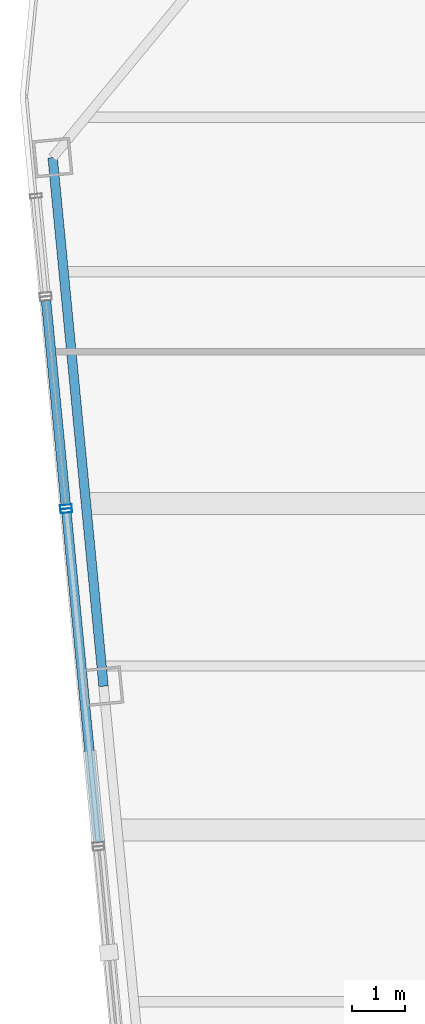
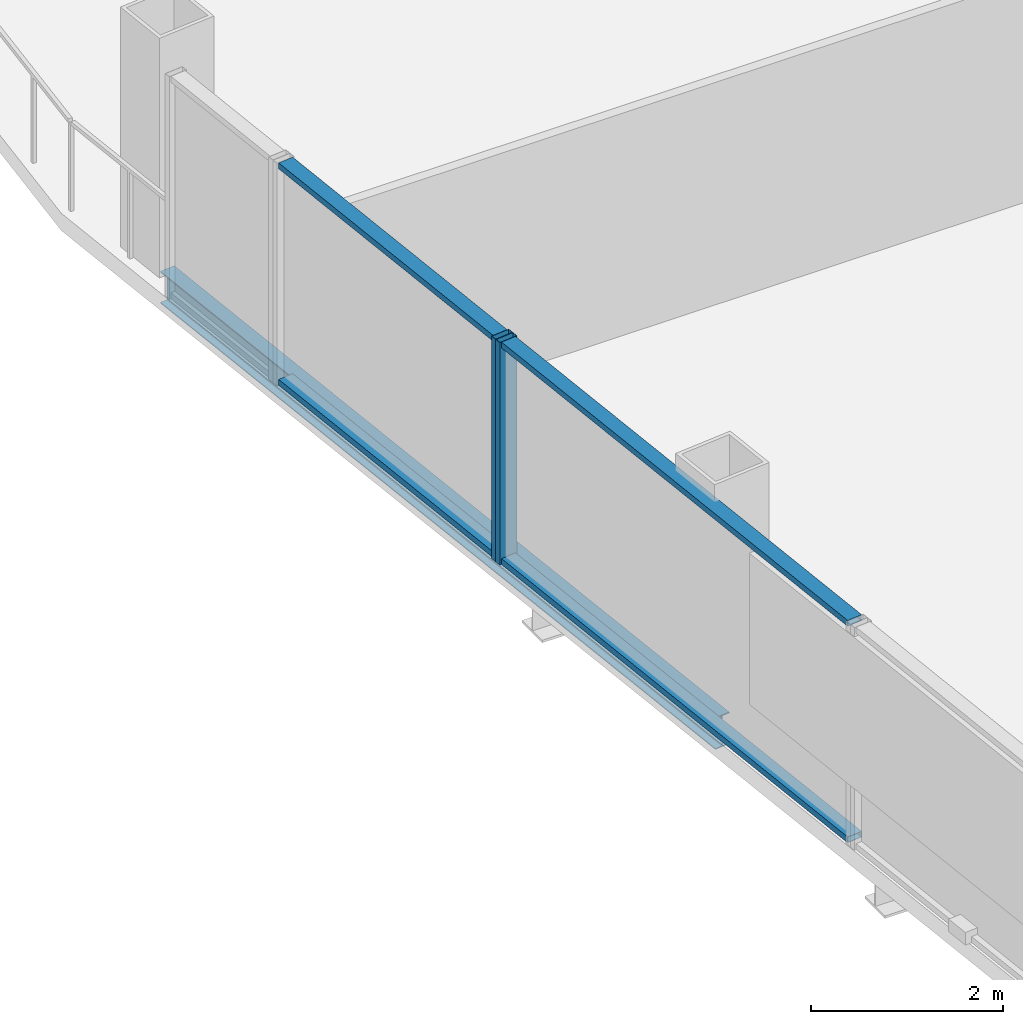
# One storey, part 7 of 21: 6 members, 1 beam, 2 elements without a shape of their own.
"""IFC4 building model written with IfcOpenShell, lengths in metres."""

from ifc_helpers import new_model, si_unit, direction, frame, origin, origin_2d, place, context, subcontext, project, spatial, hollow_rectangle, i_section, extrude, material, layer, layer_set, material_profile, profile_set, type_object, element, aggregate, save


model = new_model("IFC4")

# Units and contexts
model_context = context("Model", 3, precision=1e-05, world=origin(), true_north=direction((0.0, 1.0)))
body_context = subcontext(model_context, "Body", "Model", "MODEL_VIEW")
ifc_project = project(units=[si_unit("LENGTHUNIT", "METRE"), si_unit("AREAUNIT", "SQUARE_METRE"), si_unit("VOLUMEUNIT", "CUBIC_METRE"), si_unit("PLANEANGLEUNIT", "RADIAN"), si_unit("MASSUNIT", "GRAM", prefix="KILO")], contexts=[model_context])

# Site, building, storey
site_placement = place(None, origin())
site = spatial("IfcSite", under=ifc_project, at=site_placement, CompositionType="ELEMENT")
building_placement = place(site_placement, origin())
building = spatial("IfcBuilding", under=site, at=building_placement, Name="Qhalaya Broadcast Tower", CompositionType="ELEMENT")
storey_placement = place(building_placement, frame((0.0, 0.0, 162.25)))
storey = spatial("IfcBuildingStorey", under=building, at=storey_placement, Name="L47", CompositionType="ELEMENT", Elevation=162.25)

# Curtain wall, member
ifc_material_1 = material(Name="Solar-Control Low-E Triple Glazing", Category="glass")
ifc_layer_1 = layer(ifc_material_1, 0.219970703125, Name="Solar-Control Low-E Triple Glazing")
ifc_layer_set_1 = layer_set([ifc_layer_1], Name="Solar-Control Low-E Triple Glazing")
curtain_wall_type_1 = type_object("IfcCurtainWallType", Name="Even-Block 4-Storey Double-Module Curtain Wall CW-03", PredefinedType="NOTDEFINED", material=ifc_layer_set_1)
curtain_wall_1_placement = place(storey_placement, origin())
curtain_wall_1 = element("IfcCurtainWall", 1, at=curtain_wall_1_placement, inside=storey, type_object=curtain_wall_type_1, Name="L47 Unitised Curtain Wall L47-CW-W2", PredefinedType="NOTDEFINED")
ifc_material_2 = material(Name="Anodised Aluminium 6063-T6", Category="aluminium")
ifc_material_profile_1 = material_profile(ifc_material_2, hollow_rectangle(XDim=0.074951171875, YDim=0.219970703125, WallThickness=0.00390625, at=origin_2d()), Name="ALU-MUL 75x220x4")
ifc_profile_set_1 = profile_set([ifc_material_profile_1], Name="Anodised Aluminium 6063-T6")
member_type_1 = type_object("IfcMemberType", Name="Unitised Curtain-Wall Mullion M01", PredefinedType="MULLION", material=ifc_profile_set_1)
member_1_placement = place(storey_placement, frame((-25.278564453125, 9.88916015625, 0.0), z_axis=(0.0, 0.0, 1.0), x_axis=(0.095850516284, -0.995395739657, 0.0)))
member_1 = element("IfcMember", 2, at=member_1_placement, type_object=member_type_1, Name="CW-03 mullion 2", PredefinedType="MULLION", context=body_context, shape_type="SweptSolid", body=[
    extrude(hollow_rectangle(XDim=0.074951171875, YDim=0.219970703125, WallThickness=0.00390625, at=origin_2d()), origin(), (0.0, 0.0, 1.0), 2.830078125),
])

ifc_material_3 = material(Name="Fired Architectural Terracotta", Category="masonry")
ifc_layer_2 = layer(ifc_material_3, 0.219970703125, Name="Fired Architectural Terracotta")
ifc_layer_set_2 = layer_set([ifc_layer_2], Name="Fired Architectural Terracotta")
curtain_wall_type_2 = type_object("IfcCurtainWallType", Name="Block-Cap Unitised Terracotta Spandrel Wall CW-07", PredefinedType="NOTDEFINED", material=ifc_layer_set_2)
curtain_wall_2_placement = place(storey_placement, origin())
curtain_wall_2 = element("IfcCurtainWall", 3, at=curtain_wall_2_placement, inside=storey, type_object=curtain_wall_type_2, Name="L47 Unitised Curtain Wall L47-CW-W3", PredefinedType="NOTDEFINED")
member_2_placement = place(storey_placement, frame((-25.271484375, 9.814453125, 0.0), z_axis=(0.0, 0.0, 1.0), x_axis=(0.095836642528, -0.995397075518, 0.0)))
member_2 = element("IfcMember", 4, at=member_2_placement, type_object=member_type_1, Name="CW-07 mullion 1", PredefinedType="MULLION", context=body_context, shape_type="SweptSolid", body=[
    extrude(hollow_rectangle(XDim=0.074951171875, YDim=0.219970703125, WallThickness=0.00390625, at=origin_2d()), origin(), (0.0, 0.0, 1.0), 2.830078125),
])

# Member
ifc_material_profile_2 = material_profile(ifc_material_2, hollow_rectangle(XDim=0.074951171875, YDim=0.179931640625, WallThickness=0.00390625, at=origin_2d()), Name="ALU-TRN 75x180x4")
ifc_profile_set_2 = profile_set([ifc_material_profile_2], Name="Anodised Aluminium 6063-T6")
member_type_2 = type_object("IfcMemberType", Name="Unitised Curtain-Wall Transom T01", PredefinedType="USERDEFINED", material=ifc_profile_set_2)
member_3_placement = place(storey_placement, frame((-25.6513671875, 13.759765625, 0.03759765625), z_axis=(0.09585615801, -0.995395196378, 0.0), x_axis=(0.0, 0.0, 1.0)))
member_3 = element("IfcMember", 5, at=member_3_placement, type_object=member_type_2, Name="CW-03 transom 1.1", ObjectType="TRANSOM", PredefinedType="USERDEFINED", context=body_context, shape_type="SweptSolid", body=[
    extrude(hollow_rectangle(XDim=0.074951171875, YDim=0.179931640625, WallThickness=0.00390625, at=origin_2d()), origin(), (0.0, 0.0, 1.0), 3.85107421875),
])

member_4_placement = place(storey_placement, frame((-25.6513671875, 13.759765625, 2.79248046875), z_axis=(0.09585615801, -0.995395196378, 0.0), x_axis=(0.0, 0.0, 1.0)))
member_4 = element("IfcMember", 6, at=member_4_placement, type_object=member_type_2, Name="CW-03 transom 1.2", ObjectType="TRANSOM", PredefinedType="USERDEFINED", context=body_context, shape_type="SweptSolid", body=[
    extrude(hollow_rectangle(XDim=0.074951171875, YDim=0.179931640625, WallThickness=0.00390625, at=origin_2d()), origin(), (0.0, 0.0, 1.0), 3.85107421875),
])

aggregate(curtain_wall_1, [member_1, member_3, member_4])

member_5_placement = place(storey_placement, frame((-25.267822265625, 9.777099609375, 0.03759765625), z_axis=(0.095850882776, -0.995395704366, 0.0), x_axis=(0.0, 0.0, 1.0)))
member_5 = element("IfcMember", 7, at=member_5_placement, type_object=member_type_2, Name="CW-07 transom 1.1", ObjectType="TRANSOM", PredefinedType="USERDEFINED", context=body_context, shape_type="SweptSolid", body=[
    extrude(hollow_rectangle(XDim=0.074951171875, YDim=0.179931640625, WallThickness=0.00390625, at=origin_2d()), origin(), (0.0, 0.0, 1.0), 6.21484375),
])

member_6_placement = place(storey_placement, frame((-25.267822265625, 9.777099609375, 2.79248046875), z_axis=(0.095850882776, -0.995395704366, 0.0), x_axis=(0.0, 0.0, 1.0)))
member_6 = element("IfcMember", 8, at=member_6_placement, type_object=member_type_2, Name="CW-07 transom 1.2", ObjectType="TRANSOM", PredefinedType="USERDEFINED", context=body_context, shape_type="SweptSolid", body=[
    extrude(hollow_rectangle(XDim=0.074951171875, YDim=0.179931640625, WallThickness=0.00390625, at=origin_2d()), origin(), (0.0, 0.0, 1.0), 6.21484375),
])

aggregate(curtain_wall_2, [member_2, member_5, member_6])

# Beam
ifc_material_4 = material(Name="Structural Steel ASTM A992 Grade 50", Category="steel")
ifc_material_profile_3 = material_profile(ifc_material_4, i_section(OverallWidth=0.177978515625, OverallDepth=0.406005859375, WebThickness=0.0078125, FlangeThickness=0.0126953125, at=origin_2d()), Name="W16X40")
ifc_profile_set_3 = profile_set([ifc_material_profile_3], Name="Structural Steel ASTM A992 Grade 50")
beam_type = type_object("IfcBeamType", Name="Upper Perimeter Spandrel Beam SP2", PredefinedType="SPANDREL", material=ifc_profile_set_3)
beam_placement = place(storey_placement, frame((-25.52783203125, 16.44189453125, -0.423095703125), z_axis=(0.095852900965, -0.995395510024, 0.0), x_axis=(0.995395510024, 0.095852900965, 0.0)))
element("IfcBeam", 9, at=beam_placement, inside=storey, type_object=beam_type, Name="L47 SP2 L47-SPR-13", PredefinedType="SPANDREL", context=body_context, shape_type="SweptSolid", body=[
    extrude(i_section(OverallWidth=0.177978515625, OverallDepth=0.406005859375, WebThickness=0.0078125, FlangeThickness=0.0126953125, at=origin_2d()), origin(), (0.0, 0.0, 1.0), 9.966552734375),
])

save(model, "model.ifc")
